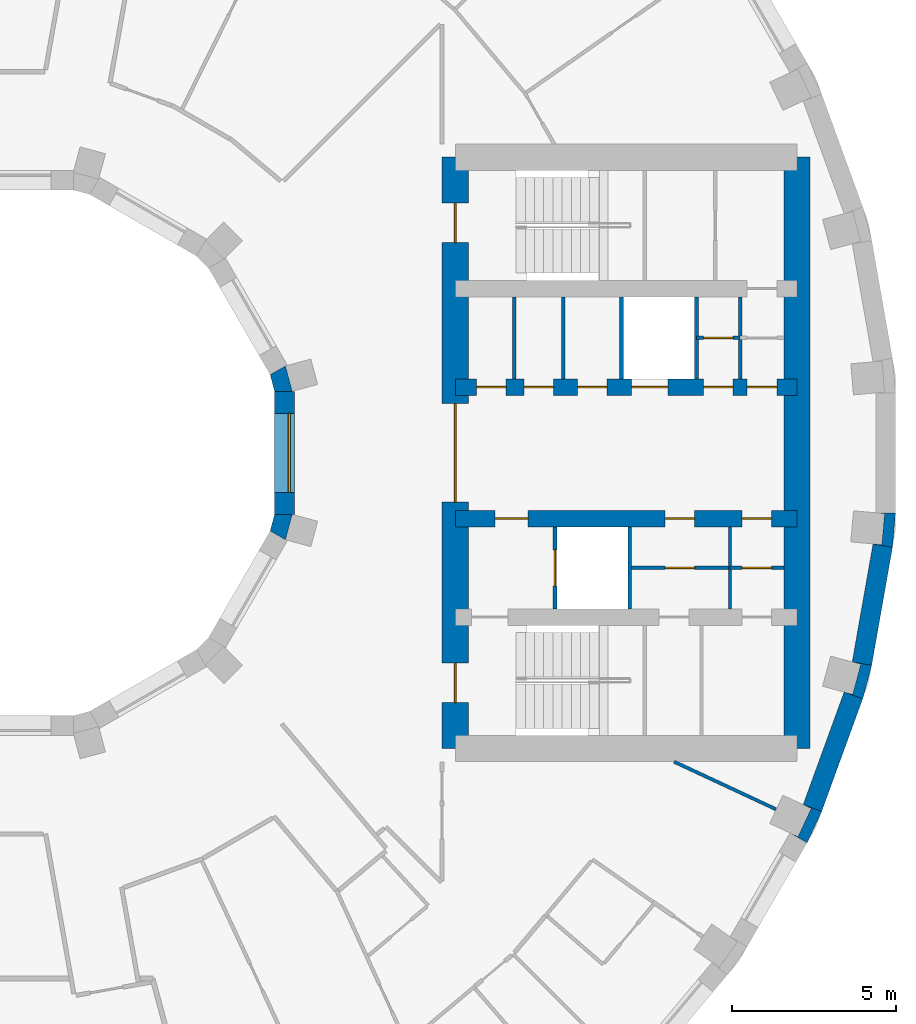
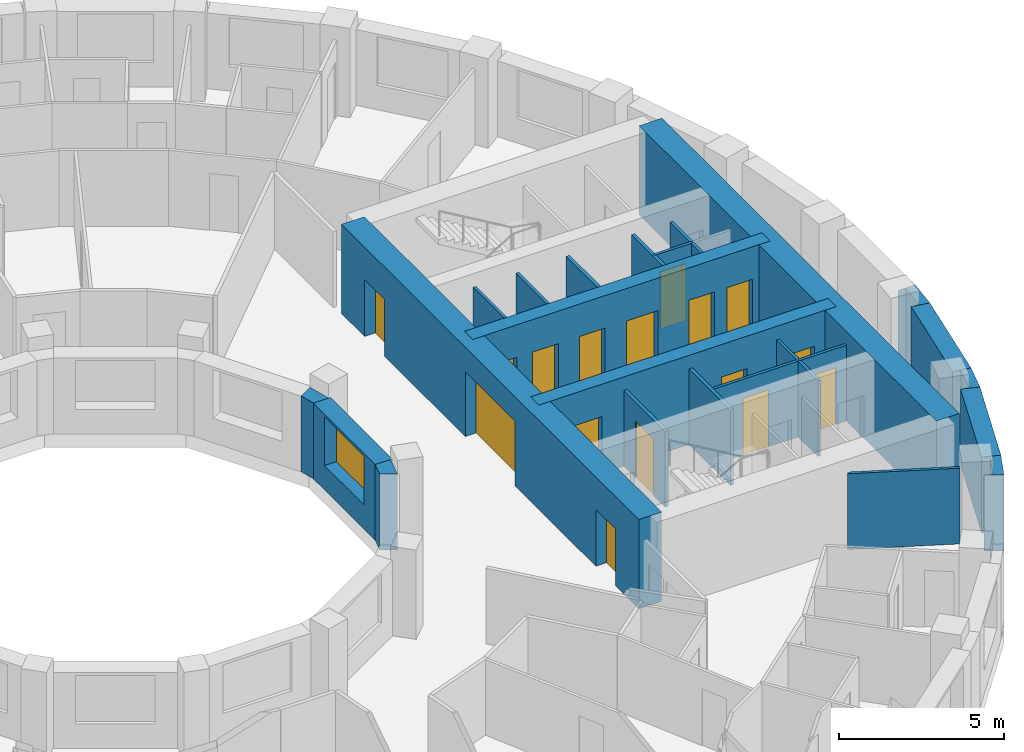
# One storey, part 10 of 16: 24 walls, 16 doors, 1 window, 17 openings.
"""IFC4 building model written with IfcOpenShell, lengths in metres."""

from ifc_helpers import new_model, si_unit, direction, frame, frame_2d, origin, place, context, subcontext, project, spatial, polyline, rectangle, outline, extrude, material, layer, layer_set, type_object, element, fill, save


model = new_model("IFC4")

# Units and contexts
model_context = context("Model", 3, precision=1e-05, world=origin(), true_north=direction((0.0, 1.0)))
body_context = subcontext(model_context, "Body", "Model", "MODEL_VIEW")
ifc_project = project(units=[si_unit("LENGTHUNIT", "METRE"), si_unit("AREAUNIT", "SQUARE_METRE"), si_unit("VOLUMEUNIT", "CUBIC_METRE"), si_unit("PLANEANGLEUNIT", "RADIAN"), si_unit("MASSUNIT", "GRAM", prefix="KILO")], contexts=[model_context])

# Site, building, storey
site_placement = place(None, origin())
site = spatial("IfcSite", under=ifc_project, at=site_placement, CompositionType="ELEMENT")
building_placement = place(site_placement, origin())
building = spatial("IfcBuilding", under=site, at=building_placement, Name="Saqina Gate Tower", CompositionType="ELEMENT")
storey_placement = place(building_placement, frame((0.0, 0.0, 144.699951171875)))
storey = spatial("IfcBuildingStorey", under=building, at=storey_placement, Name="L41", CompositionType="ELEMENT", Elevation=144.699951171875)

# Walls
ifc_material_1 = material(Name="Brick masonry (buff)", Category="masonry")
wall_type_1 = type_object("IfcWallType", Name="BRICK PIER COPING BUFF", PredefinedType="SOLIDWALL", material=ifc_material_1)
wall_1_placement = place(storey_placement, origin())
element("IfcWall", 1, at=wall_1_placement, inside=storey, type_object=wall_type_1, Name="Pier cap L41 column 34", PredefinedType="SOLIDWALL", context=body_context, shape_type="SweptSolid", body=[
    extrude(outline(polyline([(24.6513671875, -10.913330078125), (24.08740234375, -10.7080078125), (24.331298828125, -10.82177734375), (23.9296875, -11.6826171875), (23.68603515625, -11.569091796875), (24.205810546875, -11.869140625), (24.6513671875, -10.913330078125)])), origin(), (0.0, 0.0, 1.0), 2.800048828125),
])
wall_2_placement = place(storey_placement, origin())
element("IfcWall", 2, at=wall_2_placement, inside=storey, type_object=wall_type_1, Name="Pier cap L41 column 35", PredefinedType="SOLIDWALL", context=body_context, shape_type="SweptSolid", body=[
    extrude(outline(polyline([(25.89892578125, -7.485595703125), (26.171875, -6.466796875), (25.5810546875, -6.36279296875), (25.8408203125, -6.43212890625), (25.5947265625, -7.349853515625), (25.335205078125, -7.2802734375), (25.89892578125, -7.485595703125)])), origin(), (0.0, 0.0, 1.0), 2.800048828125),
])
wall_3_placement = place(storey_placement, origin())
element("IfcWall", 3, at=wall_3_placement, inside=storey, type_object=wall_type_1, Name="Pier cap L41 column 36", PredefinedType="SOLIDWALL", context=body_context, shape_type="SweptSolid", body=[
    extrude(outline(polyline([(26.805419921875, -2.87451171875), (26.897216796875, -1.823974609375), (26.29736328125, -1.823974609375), (26.565185546875, -1.847412109375), (26.482421875, -2.793701171875), (26.214599609375, -2.770263671875), (26.805419921875, -2.87451171875)])), origin(), (0.0, 0.0, 1.0), 2.800048828125),
])
ifc_material_2 = material(Name="Gypsum board on steel studs", Category="steel")
ifc_layer_1 = layer(ifc_material_2, 0.10009765625)
ifc_layer_set_1 = layer_set([ifc_layer_1], Name="CORE PARTITION")
wall_type_2 = type_object("IfcWallType", Name="CORE PARTITION", PredefinedType="PARTITIONING", material=ifc_layer_set_1)
for number, where, z_axis, x_axis, name in (
    (4, (15.298095703125, 2.25, 0.0), (0.0, 0.0, 1.0), (0.0, 1.0, 0.0), "L41-CP-E01"),
    (5, (16.789306640625, 2.25, 0.0), (0.0, 0.0, 1.0), (0.0, 1.0, 0.0), "L41-CP-E02"),
    (6, (22.169921875, 2.25, 0.0), (0.0, 0.0, 1.0), (0.0, 1.0, 0.0), "L41-CP-E05"),
    (7, (21.8583984375, -4.75, 0.0), (0.0, 0.0, 1.0), (0.0, 1.0, 0.0), "L41-CP-E08"),
):
    element("IfcWall", number, at=place(storey_placement, frame(where, z_axis=z_axis, x_axis=x_axis)), inside=storey, type_object=wall_type_2, Name=name, PredefinedType="PARTITIONING", context=body_context, shape_type="SweptSolid", body=[
        extrude(rectangle(XDim=2.5, YDim=0.10009765625, at=frame_2d((1.25, 0.0))), origin(), (0.0, 0.0, 1.0), 2.800048828125),
    ])

# Wall, opening, door
wall_4_placement = place(storey_placement, frame((20.840087890625, 3.5, 0.0), z_axis=(0.0, 0.0, 1.0), x_axis=(1.0, 0.0, 0.0)))
wall_4 = element("IfcWall", 8, at=wall_4_placement, inside=storey, type_object=wall_type_2, Name="L41-CP-E09", PredefinedType="PARTITIONING", context=body_context, shape_type="SweptSolid", body=[
    extrude(rectangle(XDim=1.329833984375, YDim=0.10009765625, at=frame_2d((0.6650390625, 0.0))), origin(), (0.0, 0.0, 1.0), 2.800048828125),
])
opening_1_placement = place(wall_4_placement, frame((0.215087890625, 0.0, 0.0)))
opening_1 = element("IfcOpeningElement", 9, at=opening_1_placement, cuts=wall_4, Name="Opening G12-D99", PredefinedType="OPENING", context=body_context, shape_type="SweptSolid", body=[
    extrude(rectangle(XDim=0.89990234375, YDim=2.10009765625, at=frame_2d((0.449951171875, 1.050048828125))), frame((0.0, 0.06201171875, 0.0), z_axis=(0.0, -1.0, 0.0), x_axis=(1.0, 0.0, 0.0)), (0.0, 0.0, 1.0), 0.1240234375),
])
ifc_material_3 = material(Name="Steel-framed fire door leaf, EI 60", Category="steel")
door_type_1 = type_object("IfcDoorType", Name="SERVICE ROOM DOOR 900", OperationType="SINGLE_SWING_LEFT", PredefinedType="DOOR", material=ifc_material_3)
door_1_placement = place(opening_1_placement, origin())
door_1 = element("IfcDoor", 10, at=door_1_placement, inside=storey, type_object=door_type_1, Name="L41-CD-E10", OperationType="SINGLE_SWING_LEFT", OverallHeight=2.10009765625, OverallWidth=0.89990234375, PredefinedType="DOOR", context=body_context, shape_type="SweptSolid", body=[
    extrude(rectangle(XDim=0.89990234375, YDim=2.10009765625, at=frame_2d((0.449951171875, 1.050048828125))), frame((0.0, 0.02490234375, 0.0), z_axis=(0.0, -1.0, 0.0), x_axis=(1.0, 0.0, 0.0)), (0.0, 0.0, 1.0), 0.050048828125),
])
fill(opening_1, door_1)

wall_5_placement = place(storey_placement, frame((18.81005859375, -3.5, 0.0), z_axis=(0.0, 0.0, 1.0), x_axis=(1.0, 0.0, 0.0)))
wall_5 = element("IfcWall", 11, at=wall_5_placement, inside=storey, type_object=wall_type_2, Name="L41-CP-E11", PredefinedType="PARTITIONING", context=body_context, shape_type="SweptSolid", body=[
    extrude(rectangle(XDim=3.04833984375, YDim=0.10009765625, at=frame_2d((1.524169921875, 0.0))), origin(), (0.0, 0.0, 1.0), 2.800048828125),
])
opening_2_placement = place(wall_5_placement, frame((1.07421875, 0.0, 0.0)))
opening_2 = element("IfcOpeningElement", 12, at=opening_2_placement, cuts=wall_5, Name="Opening G12-D103", PredefinedType="OPENING", context=body_context, shape_type="SweptSolid", body=[
    extrude(rectangle(XDim=0.89990234375, YDim=2.10009765625, at=frame_2d((0.449951171875, 1.050048828125))), frame((0.0, 0.06201171875, 0.0), z_axis=(0.0, -1.0, 0.0), x_axis=(1.0, 0.0, 0.0)), (0.0, 0.0, 1.0), 0.1240234375),
])
door_2_placement = place(opening_2_placement, frame((0.89990234375, 0.0, 0.0), z_axis=(0.0, 0.0, 1.0), x_axis=(-1.0, 0.0, 0.0)))
door_2 = element("IfcDoor", 13, at=door_2_placement, inside=storey, type_object=door_type_1, Name="L41-CD-E14", OperationType="SINGLE_SWING_RIGHT", OverallHeight=2.10009765625, OverallWidth=0.89990234375, PredefinedType="DOOR", context=body_context, shape_type="SweptSolid", body=[
    extrude(rectangle(XDim=0.89990234375, YDim=2.10009765625, at=frame_2d((0.449951171875, 1.050048828125))), frame((0.0, 0.02490234375, 0.0), z_axis=(0.0, -1.0, 0.0), x_axis=(1.0, 0.0, 0.0)), (0.0, 0.0, 1.0), 0.050048828125),
])
fill(opening_2, door_2)

wall_6_placement = place(storey_placement, frame((21.8583984375, -3.5, 0.0), z_axis=(0.0, 0.0, 1.0), x_axis=(1.0, 0.0, 0.0)))
wall_6 = element("IfcWall", 14, at=wall_6_placement, inside=storey, type_object=wall_type_2, Name="L41-CP-E12", PredefinedType="PARTITIONING", context=body_context, shape_type="SweptSolid", body=[
    extrude(rectangle(XDim=1.6416015625, YDim=0.10009765625, at=frame_2d((0.82080078125, 0.0))), origin(), (0.0, 0.0, 1.0), 2.800048828125),
])
opening_3_placement = place(wall_6_placement, frame((0.370849609375, 0.0, 0.0)))
opening_3 = element("IfcOpeningElement", 15, at=opening_3_placement, cuts=wall_6, Name="Opening G12-D102", PredefinedType="OPENING", context=body_context, shape_type="SweptSolid", body=[
    extrude(rectangle(XDim=0.89990234375, YDim=2.10009765625, at=frame_2d((0.449951171875, 1.050048828125))), frame((0.0, 0.06201171875, 0.0), z_axis=(0.0, -1.0, 0.0), x_axis=(1.0, 0.0, 0.0)), (0.0, 0.0, 1.0), 0.1240234375),
])
door_3_placement = place(opening_3_placement, frame((0.89990234375, 0.0, 0.0), z_axis=(0.0, 0.0, 1.0), x_axis=(-1.0, 0.0, 0.0)))
door_3 = element("IfcDoor", 16, at=door_3_placement, inside=storey, type_object=door_type_1, Name="L41-CD-E13", OperationType="SINGLE_SWING_LEFT", OverallHeight=2.10009765625, OverallWidth=0.89990234375, PredefinedType="DOOR", context=body_context, shape_type="SweptSolid", body=[
    extrude(rectangle(XDim=0.89990234375, YDim=2.10009765625, at=frame_2d((0.449951171875, 1.050048828125))), frame((0.0, 0.02490234375, 0.0), z_axis=(0.0, -1.0, 0.0), x_axis=(1.0, 0.0, 0.0)), (0.0, 0.0, 1.0), 0.050048828125),
])
fill(opening_3, door_3)

# Walls
ifc_material_4 = material(Name="Glazed ceramic tile", Category="ceramic")
ifc_layer_2 = layer(ifc_material_4, 0.60009765625)
ifc_layer_set_2 = layer_set([ifc_layer_2], Name="FW-TILE")
wall_type_3 = type_object("IfcWallType", Name="FW-TILE", PredefinedType="SOLIDWALL", material=ifc_layer_set_2)
wall_7_placement = place(storey_placement, frame((24.369384765625, -10.810791015625, 0.0), z_axis=(0.0, 0.0, 1.0), x_axis=(0.341990236633, 0.939703505393, 0.0)))
element("IfcWall", 17, at=wall_7_placement, inside=storey, type_object=wall_type_3, Name="Facade wall L41 facet 34", PredefinedType="SOLIDWALL", context=body_context, shape_type="SweptSolid", body=[
    extrude(rectangle(XDim=3.64794921875, YDim=0.60009765625, at=frame_2d((1.823974609375, 0.0))), origin(), (0.0, 0.0, 1.0), 2.800048828125),
])
ifc_material_5 = material(Name="Glazed ceramic tile (white)", Category="ceramic")
ifc_layer_3 = layer(ifc_material_5, 0.60009765625)
ifc_layer_set_3 = layer_set([ifc_layer_3], Name="FW-TILE-WH")
wall_type_4 = type_object("IfcWallType", Name="FW-TILE-WH", PredefinedType="SOLIDWALL", material=ifc_layer_set_3)
wall_8_placement = place(storey_placement, frame((25.87646484375, -6.414794921875, 0.0), z_axis=(0.0, 0.0, 1.0), x_axis=(0.173670796382, 0.984803764455, 0.0)))
element("IfcWall", 18, at=wall_8_placement, inside=storey, type_object=wall_type_4, Name="Facade wall L41 facet 35", PredefinedType="SOLIDWALL", context=body_context, shape_type="SweptSolid", body=[
    extrude(rectangle(XDim=3.64794921875, YDim=0.60009765625, at=frame_2d((1.823974609375, 0.0))), origin(), (0.0, 0.0, 1.0), 2.800048828125),
])

# Wall, opening, window
ifc_material_6 = material(Name="Glazed ceramic tile", Category="ceramic")
ifc_layer_4 = layer(ifc_material_6, 0.60009765625)
ifc_layer_set_4 = layer_set([ifc_layer_4], Name="IW-TILE")
wall_type_5 = type_object("IfcWallType", Name="IW-TILE", PredefinedType="SOLIDWALL", material=ifc_layer_set_4)
wall_9_placement = place(storey_placement, frame((8.300048828125, -1.873779296875, 0.0), z_axis=(0.0, 0.0, 1.0), x_axis=(0.0, 1.0, 0.0)))
wall_9 = element("IfcWall", 19, at=wall_9_placement, inside=storey, type_object=wall_type_5, Name="Well wall L41 facet 12", PredefinedType="SOLIDWALL", context=body_context, shape_type="SweptSolid", body=[
    extrude(rectangle(XDim=3.74755859375, YDim=0.60009765625, at=frame_2d((1.873779296875, 0.0))), origin(), (0.0, 0.0, 1.0), 2.800048828125),
])
opening_4_placement = place(wall_9_placement, frame((0.673583984375, 0.0, 0.89990234375)))
opening_4 = element("IfcOpeningElement", 20, at=opening_4_placement, cuts=wall_9, Name="Opening G12-W34", PredefinedType="OPENING", context=body_context, shape_type="SweptSolid", body=[
    extrude(rectangle(XDim=2.39990234375, YDim=1.800048828125, at=frame_2d((1.199951171875, 0.89990234375))), frame((0.0, 0.31201171875, 0.0), z_axis=(0.0, -1.0, 0.0), x_axis=(1.0, 0.0, 0.0)), (0.0, 0.0, 1.0), 0.6240234375),
])
ifc_material_7 = material(Name="Aluminium glazing", Category="aluminium")
window_type = type_object("IfcWindowType", Name="WN-W", PartitioningType="SINGLE_PANEL", PredefinedType="WINDOW", material=ifc_material_7)
window_placement = place(opening_4_placement, origin())
window = element("IfcWindow", 21, at=window_placement, inside=storey, type_object=window_type, Name="Well window L41 facet 12", OverallHeight=1.800048828125, OverallWidth=2.39990234375, PartitioningType="SINGLE_PANEL", PredefinedType="WINDOW", context=body_context, shape_type="SweptSolid", body=[
    extrude(rectangle(XDim=2.39990234375, YDim=1.800048828125, at=frame_2d((1.199951171875, 0.89990234375))), frame((0.0, -0.119873046875, 0.0), z_axis=(0.0, -1.0, 0.0), x_axis=(1.0, 0.0, 0.0)), (0.0, 0.0, 1.0), 0.06005859375),
])
fill(opening_4, window)

# Walls
ifc_material_8 = material(Name="Gypsum board on steel studs, 100 mm", Category="steel")
ifc_layer_5 = layer(ifc_material_8, 0.10009765625)
ifc_layer_set_5 = layer_set([ifc_layer_5], Name="PARTITION 100")
wall_type_6 = type_object("IfcWallType", Name="PARTITION 100", PredefinedType="PARTITIONING", material=ifc_layer_set_5)
wall_10_placement = place(storey_placement, frame((20.159912109375, -9.39990234375, 0.0), z_axis=(0.0, 0.0, 1.0), x_axis=(0.906121146584, -0.423018282954, 0.0)))
element("IfcWall", 22, at=wall_10_placement, inside=storey, type_object=wall_type_6, Name="PARTITION PW3-46", PredefinedType="PARTITIONING", context=body_context, shape_type="SweptSolid", body=[
    extrude(rectangle(XDim=3.42138671875, YDim=0.10009765625, at=frame_2d((1.710693359375, 0.0))), origin(), (0.0, 0.0, 1.0), 2.800048828125),
])
ifc_material_9 = material(Name="Autoclaved aerated concrete block", Category="concrete")
ifc_layer_6 = layer(ifc_material_9, 0.1201171875)
ifc_layer_set_6 = layer_set([ifc_layer_6], Name="SHAFT PARTITION")
wall_type_7 = type_object("IfcWallType", Name="SHAFT PARTITION", PredefinedType="PARTITIONING", material=ifc_layer_set_6)
for number, where, z_axis, x_axis, name in (
    (23, (18.56005859375, 2.25, 0.0), (0.0, 0.0, 1.0), (0.0, 1.0, 0.0), "L41-CP-E03"),
    (24, (20.840087890625, 2.25, 0.0), (0.0, 0.0, 1.0), (0.0, 1.0, 0.0), "L41-CP-E04"),
):
    element("IfcWall", number, at=place(storey_placement, frame(where, z_axis=z_axis, x_axis=x_axis)), inside=storey, type_object=wall_type_7, Name=name, PredefinedType="PARTITIONING", context=body_context, shape_type="SweptSolid", body=[
        extrude(rectangle(XDim=2.5, YDim=0.1201171875, at=frame_2d((1.25, 0.0))), origin(), (0.0, 0.0, 1.0), 2.800048828125),
    ])

# Wall, opening, door
wall_11_placement = place(storey_placement, frame((16.530029296875, -4.75, 0.0), z_axis=(0.0, 0.0, 1.0), x_axis=(0.0, 1.0, 0.0)))
wall_11 = element("IfcWall", 25, at=wall_11_placement, inside=storey, type_object=wall_type_7, Name="L41-CP-E06", PredefinedType="PARTITIONING", context=body_context, shape_type="SweptSolid", body=[
    extrude(rectangle(XDim=2.5, YDim=0.1201171875, at=frame_2d((1.25, 0.0))), origin(), (0.0, 0.0, 1.0), 2.800048828125),
])
opening_5_placement = place(wall_11_placement, frame((0.699951171875, 0.0, 0.0)))
opening_5 = element("IfcOpeningElement", 26, at=opening_5_placement, cuts=wall_11, Name="Opening G12-LD2", PredefinedType="OPENING", context=body_context, shape_type="SweptSolid", body=[
    extrude(rectangle(XDim=1.10009765625, YDim=2.10009765625, at=frame_2d((0.550048828125, 1.050048828125))), frame((0.0, 0.072021484375, 0.0), z_axis=(0.0, -1.0, 0.0), x_axis=(1.0, 0.0, 0.0)), (0.0, 0.0, 1.0), 0.14404296875),
])
ifc_material_10 = material(Name="Stainless steel", Category="steel")
door_type_2 = type_object("IfcDoorType", Name="LANDING DOOR", OperationType="DOUBLE_DOOR_SLIDING", PredefinedType="DOOR", material=ifc_material_10)
door_4_placement = place(opening_5_placement, origin())
door_4 = element("IfcDoor", 27, at=door_4_placement, inside=storey, type_object=door_type_2, Name="LANDING DOOR FF1", OperationType="DOUBLE_DOOR_SLIDING", OverallHeight=2.10009765625, OverallWidth=1.10009765625, PredefinedType="DOOR", context=body_context, shape_type="SweptSolid", body=[
    extrude(rectangle(XDim=1.10009765625, YDim=2.10009765625, at=frame_2d((0.550048828125, 1.050048828125))), frame((0.0, 0.02490234375, 0.0), z_axis=(0.0, -1.0, 0.0), x_axis=(1.0, 0.0, 0.0)), (0.0, 0.0, 1.0), 0.050048828125),
])
fill(opening_5, door_4)

# Wall
wall_12_placement = place(storey_placement, frame((18.81005859375, -4.75, 0.0), z_axis=(0.0, 0.0, 1.0), x_axis=(0.0, 1.0, 0.0)))
element("IfcWall", 28, at=wall_12_placement, inside=storey, type_object=wall_type_7, Name="L41-CP-E07", PredefinedType="PARTITIONING", context=body_context, shape_type="SweptSolid", body=[
    extrude(rectangle(XDim=2.5, YDim=0.1201171875, at=frame_2d((1.25, 0.0))), origin(), (0.0, 0.0, 1.0), 2.800048828125),
])

# Wall, openings, doors
ifc_material_11 = material(Name="Concrete C70/85", Category="concrete")
ifc_layer_7 = layer(ifc_material_11, 0.5)
ifc_layer_set_7 = layer_set([ifc_layer_7], Name="Concrete C70/85")
wall_type_8 = type_object("IfcWallType", Name="STR-CORE WALL-B-I", PredefinedType="SHEAR", material=ifc_layer_set_7)
wall_13_placement = place(storey_placement, frame((13.5, 2.0, 0.0), z_axis=(0.0, 0.0, 1.0), x_axis=(1.0, 0.0, 0.0)))
wall_13 = element("IfcWall", 29, at=wall_13_placement, inside=storey, type_object=wall_type_8, Name="CORE WALL L41 E-L1", PredefinedType="SHEAR", context=body_context, shape_type="SweptSolid", body=[
    extrude(rectangle(XDim=10.39990234375, YDim=0.5, at=frame_2d((5.199951171875, 0.0))), origin(), (0.0, 0.0, 1.0), 3.300048828125),
])
opening_6_placement = place(wall_13_placement, frame((5.3701171875, 0.0, 0.0)))
opening_6 = element("IfcOpeningElement", 30, at=opening_6_placement, cuts=wall_13, Name="Opening G12-LD1", PredefinedType="OPENING", context=body_context, shape_type="SweptSolid", body=[
    extrude(rectangle(XDim=1.10009765625, YDim=2.10009765625, at=frame_2d((0.550048828125, 1.050048828125))), frame((0.0, 0.261962890625, 0.0), z_axis=(0.0, -1.0, 0.0), x_axis=(1.0, 0.0, 0.0)), (0.0, 0.0, 1.0), 0.52392578125),
])
opening_7_placement = place(wall_13_placement, frame((0.64892578125, 0.0, 0.0)))
opening_7 = element("IfcOpeningElement", 31, at=opening_7_placement, cuts=wall_13, Name="Opening G12-D90", PredefinedType="OPENING", context=body_context, shape_type="SweptSolid", body=[
    extrude(rectangle(XDim=0.89990234375, YDim=2.10009765625, at=frame_2d((0.449951171875, 1.050048828125))), frame((0.0, 0.261962890625, 0.0), z_axis=(0.0, -1.0, 0.0), x_axis=(1.0, 0.0, 0.0)), (0.0, 0.0, 1.0), 0.52392578125),
])
opening_8_placement = place(wall_13_placement, frame((2.093505859375, 0.0, 0.0)))
opening_8 = element("IfcOpeningElement", 32, at=opening_8_placement, cuts=wall_13, Name="Opening G12-D91", PredefinedType="OPENING", context=body_context, shape_type="SweptSolid", body=[
    extrude(rectangle(XDim=0.89990234375, YDim=2.10009765625, at=frame_2d((0.449951171875, 1.050048828125))), frame((0.0, 0.261962890625, 0.0), z_axis=(0.0, -1.0, 0.0), x_axis=(1.0, 0.0, 0.0)), (0.0, 0.0, 1.0), 0.52392578125),
])
opening_9_placement = place(wall_13_placement, frame((3.724609375, 0.0, 0.0)))
opening_9 = element("IfcOpeningElement", 33, at=opening_9_placement, cuts=wall_13, Name="Opening G12-D92", PredefinedType="OPENING", context=body_context, shape_type="SweptSolid", body=[
    extrude(rectangle(XDim=0.89990234375, YDim=2.10009765625, at=frame_2d((0.449951171875, 1.050048828125))), frame((0.0, 0.261962890625, 0.0), z_axis=(0.0, -1.0, 0.0), x_axis=(1.0, 0.0, 0.0)), (0.0, 0.0, 1.0), 0.52392578125),
])
opening_10_placement = place(wall_13_placement, frame((7.554931640625, 0.0, 0.0)))
opening_10 = element("IfcOpeningElement", 34, at=opening_10_placement, cuts=wall_13, Name="Opening G12-D93", PredefinedType="OPENING", context=body_context, shape_type="SweptSolid", body=[
    extrude(rectangle(XDim=0.89990234375, YDim=2.10009765625, at=frame_2d((0.449951171875, 1.050048828125))), frame((0.0, 0.261962890625, 0.0), z_axis=(0.0, -1.0, 0.0), x_axis=(1.0, 0.0, 0.0)), (0.0, 0.0, 1.0), 0.52392578125),
])
opening_11_placement = place(wall_13_placement, frame((8.885009765625, 0.0, 0.0)))
opening_11 = element("IfcOpeningElement", 35, at=opening_11_placement, cuts=wall_13, Name="Opening G12-D94", PredefinedType="OPENING", context=body_context, shape_type="SweptSolid", body=[
    extrude(rectangle(XDim=0.89990234375, YDim=2.10009765625, at=frame_2d((0.449951171875, 1.050048828125))), frame((0.0, 0.261962890625, 0.0), z_axis=(0.0, -1.0, 0.0), x_axis=(1.0, 0.0, 0.0)), (0.0, 0.0, 1.0), 0.52392578125),
])
door_5_placement = place(opening_6_placement, origin())
door_5 = element("IfcDoor", 36, at=door_5_placement, inside=storey, type_object=door_type_2, Name="LANDING DOOR MR1", OperationType="DOUBLE_DOOR_SLIDING", OverallHeight=2.10009765625, OverallWidth=1.10009765625, PredefinedType="DOOR", context=body_context, shape_type="SweptSolid", body=[
    extrude(rectangle(XDim=1.10009765625, YDim=2.10009765625, at=frame_2d((0.550048828125, 1.050048828125))), frame((0.0, 0.02490234375, 0.0), z_axis=(0.0, -1.0, 0.0), x_axis=(1.0, 0.0, 0.0)), (0.0, 0.0, 1.0), 0.050048828125),
])
fill(opening_6, door_5)
door_6_placement = place(opening_7_placement, origin())
door_6 = element("IfcDoor", 37, at=door_6_placement, inside=storey, type_object=door_type_1, Name="L41-CD-E01", OperationType="SINGLE_SWING_LEFT", OverallHeight=2.10009765625, OverallWidth=0.89990234375, PredefinedType="DOOR", context=body_context, shape_type="SweptSolid", body=[
    extrude(rectangle(XDim=0.89990234375, YDim=2.10009765625, at=frame_2d((0.449951171875, 1.050048828125))), frame((0.0, 0.02490234375, 0.0), z_axis=(0.0, -1.0, 0.0), x_axis=(1.0, 0.0, 0.0)), (0.0, 0.0, 1.0), 0.050048828125),
])
fill(opening_7, door_6)
door_7_placement = place(opening_8_placement, origin())
door_7 = element("IfcDoor", 38, at=door_7_placement, inside=storey, type_object=door_type_1, Name="L41-CD-E02", OperationType="SINGLE_SWING_LEFT", OverallHeight=2.10009765625, OverallWidth=0.89990234375, PredefinedType="DOOR", context=body_context, shape_type="SweptSolid", body=[
    extrude(rectangle(XDim=0.89990234375, YDim=2.10009765625, at=frame_2d((0.449951171875, 1.050048828125))), frame((0.0, 0.02490234375, 0.0), z_axis=(0.0, -1.0, 0.0), x_axis=(1.0, 0.0, 0.0)), (0.0, 0.0, 1.0), 0.050048828125),
])
fill(opening_8, door_7)
door_8_placement = place(opening_9_placement, origin())
door_8 = element("IfcDoor", 39, at=door_8_placement, inside=storey, type_object=door_type_1, Name="L41-CD-E03", OperationType="SINGLE_SWING_RIGHT", OverallHeight=2.10009765625, OverallWidth=0.89990234375, PredefinedType="DOOR", context=body_context, shape_type="SweptSolid", body=[
    extrude(rectangle(XDim=0.89990234375, YDim=2.10009765625, at=frame_2d((0.449951171875, 1.050048828125))), frame((0.0, 0.02490234375, 0.0), z_axis=(0.0, -1.0, 0.0), x_axis=(1.0, 0.0, 0.0)), (0.0, 0.0, 1.0), 0.050048828125),
])
fill(opening_9, door_8)
door_9_placement = place(opening_10_placement, origin())
door_9 = element("IfcDoor", 40, at=door_9_placement, inside=storey, type_object=door_type_1, Name="L41-CD-E04", OperationType="SINGLE_SWING_LEFT", OverallHeight=2.10009765625, OverallWidth=0.89990234375, PredefinedType="DOOR", context=body_context, shape_type="SweptSolid", body=[
    extrude(rectangle(XDim=0.89990234375, YDim=2.10009765625, at=frame_2d((0.449951171875, 1.050048828125))), frame((0.0, 0.02490234375, 0.0), z_axis=(0.0, -1.0, 0.0), x_axis=(1.0, 0.0, 0.0)), (0.0, 0.0, 1.0), 0.050048828125),
])
fill(opening_10, door_9)
door_10_placement = place(opening_11_placement, origin())
door_10 = element("IfcDoor", 41, at=door_10_placement, inside=storey, type_object=door_type_1, Name="L41-CD-E05", OperationType="SINGLE_SWING_RIGHT", OverallHeight=2.10009765625, OverallWidth=0.89990234375, PredefinedType="DOOR", context=body_context, shape_type="SweptSolid", body=[
    extrude(rectangle(XDim=0.89990234375, YDim=2.10009765625, at=frame_2d((0.449951171875, 1.050048828125))), frame((0.0, 0.02490234375, 0.0), z_axis=(0.0, -1.0, 0.0), x_axis=(1.0, 0.0, 0.0)), (0.0, 0.0, 1.0), 0.050048828125),
])
fill(opening_11, door_10)

wall_14_placement = place(storey_placement, frame((13.5, -2.0, 0.0), z_axis=(0.0, 0.0, 1.0), x_axis=(1.0, 0.0, 0.0)))
wall_14 = element("IfcWall", 42, at=wall_14_placement, inside=storey, type_object=wall_type_8, Name="CORE WALL L41 E-L2", PredefinedType="SHEAR", context=body_context, shape_type="SweptSolid", body=[
    extrude(rectangle(XDim=10.39990234375, YDim=0.5, at=frame_2d((5.199951171875, 0.0))), origin(), (0.0, 0.0, 1.0), 3.300048828125),
])
opening_12_placement = place(wall_14_placement, frame((1.215087890625, 0.0, 0.0)))
opening_12 = element("IfcOpeningElement", 43, at=opening_12_placement, cuts=wall_14, Name="Opening G12-D95", PredefinedType="OPENING", context=body_context, shape_type="SweptSolid", body=[
    extrude(rectangle(XDim=1.0, YDim=2.10009765625, at=frame_2d((0.5, 1.050048828125))), frame((0.0, 0.261962890625, 0.0), z_axis=(0.0, -1.0, 0.0), x_axis=(1.0, 0.0, 0.0)), (0.0, 0.0, 1.0), 0.52392578125),
])
opening_13_placement = place(wall_14_placement, frame((6.38427734375, 0.0, 0.0)))
opening_13 = element("IfcOpeningElement", 44, at=opening_13_placement, cuts=wall_14, Name="Opening G12-D96", PredefinedType="OPENING", context=body_context, shape_type="SweptSolid", body=[
    extrude(rectangle(XDim=0.89990234375, YDim=2.10009765625, at=frame_2d((0.449951171875, 1.050048828125))), frame((0.0, 0.261962890625, 0.0), z_axis=(0.0, -1.0, 0.0), x_axis=(1.0, 0.0, 0.0)), (0.0, 0.0, 1.0), 0.52392578125),
])
opening_14_placement = place(wall_14_placement, frame((8.729248046875, 0.0, 0.0)))
opening_14 = element("IfcOpeningElement", 45, at=opening_14_placement, cuts=wall_14, Name="Opening G12-D97", PredefinedType="OPENING", context=body_context, shape_type="SweptSolid", body=[
    extrude(rectangle(XDim=0.89990234375, YDim=2.10009765625, at=frame_2d((0.449951171875, 1.050048828125))), frame((0.0, 0.261962890625, 0.0), z_axis=(0.0, -1.0, 0.0), x_axis=(1.0, 0.0, 0.0)), (0.0, 0.0, 1.0), 0.52392578125),
])
ifc_material_12 = material(Name="Steel", Category="steel")
door_type_3 = type_object("IfcDoorType", Name="FIRE LOBBY DOOR EI 60", OperationType="SINGLE_SWING_LEFT", PredefinedType="DOOR", material=ifc_material_12)
door_11_placement = place(opening_12_placement, origin())
door_11 = element("IfcDoor", 46, at=door_11_placement, inside=storey, type_object=door_type_3, Name="L41-CD-E06", OperationType="SINGLE_SWING_LEFT", OverallHeight=2.10009765625, OverallWidth=1.0, PredefinedType="DOOR", context=body_context, shape_type="SweptSolid", body=[
    extrude(rectangle(XDim=1.0, YDim=2.10009765625, at=frame_2d((0.5, 1.050048828125))), frame((0.0, 0.02490234375, 0.0), z_axis=(0.0, -1.0, 0.0), x_axis=(1.0, 0.0, 0.0)), (0.0, 0.0, 1.0), 0.050048828125),
])
fill(opening_12, door_11)
door_12_placement = place(opening_13_placement, frame((0.89990234375, 0.0, 0.0), z_axis=(0.0, 0.0, 1.0), x_axis=(-1.0, 0.0, 0.0)))
door_12 = element("IfcDoor", 47, at=door_12_placement, inside=storey, type_object=door_type_1, Name="L41-CD-E07", OperationType="SINGLE_SWING_LEFT", OverallHeight=2.10009765625, OverallWidth=0.89990234375, PredefinedType="DOOR", context=body_context, shape_type="SweptSolid", body=[
    extrude(rectangle(XDim=0.89990234375, YDim=2.10009765625, at=frame_2d((0.449951171875, 1.050048828125))), frame((0.0, 0.02490234375, 0.0), z_axis=(0.0, -1.0, 0.0), x_axis=(1.0, 0.0, 0.0)), (0.0, 0.0, 1.0), 0.050048828125),
])
fill(opening_13, door_12)
door_13_placement = place(opening_14_placement, frame((0.89990234375, 0.0, 0.0), z_axis=(0.0, 0.0, 1.0), x_axis=(-1.0, 0.0, 0.0)))
door_13 = element("IfcDoor", 48, at=door_13_placement, inside=storey, type_object=door_type_1, Name="L41-CD-E08", OperationType="SINGLE_SWING_LEFT", OverallHeight=2.10009765625, OverallWidth=0.89990234375, PredefinedType="DOOR", context=body_context, shape_type="SweptSolid", body=[
    extrude(rectangle(XDim=0.89990234375, YDim=2.10009765625, at=frame_2d((0.449951171875, 1.050048828125))), frame((0.0, 0.02490234375, 0.0), z_axis=(0.0, -1.0, 0.0), x_axis=(1.0, 0.0, 0.0)), (0.0, 0.0, 1.0), 0.050048828125),
])
fill(opening_14, door_13)

ifc_material_13 = material(Name="Concrete C70/85", Category="concrete")
ifc_layer_8 = layer(ifc_material_13, 0.800048828125)
ifc_layer_set_8 = layer_set([ifc_layer_8], Name="Concrete C70/85")
wall_type_9 = type_object("IfcWallType", Name="STR-CORE WALL-B-O", PredefinedType="SHEAR", material=ifc_layer_set_8)
wall_15_placement = place(storey_placement, frame((13.5, -9.0, 0.0), z_axis=(0.0, 0.0, 1.0), x_axis=(0.0, 1.0, 0.0)))
wall_15 = element("IfcWall", 49, at=wall_15_placement, inside=storey, type_object=wall_type_9, Name="CORE WALL L41 E-W1", PredefinedType="SHEAR", context=body_context, shape_type="SweptSolid", body=[
    extrude(rectangle(XDim=18.0, YDim=0.800048828125, at=frame_2d((9.0, 0.0))), origin(), (0.0, 0.0, 1.0), 3.300048828125),
])
opening_15_placement = place(wall_15_placement, frame((15.39990234375, 0.0, 0.0)))
opening_15 = element("IfcOpeningElement", 50, at=opening_15_placement, cuts=wall_15, Name="Opening G12-D107", PredefinedType="OPENING", context=body_context, shape_type="SweptSolid", body=[
    extrude(rectangle(XDim=1.199951171875, YDim=2.10009765625, at=frame_2d((0.60009765625, 1.050048828125))), frame((0.0, 0.412109375, 0.0), z_axis=(0.0, -1.0, 0.0), x_axis=(1.0, 0.0, 0.0)), (0.0, 0.0, 1.0), 0.823974609375),
])
opening_16_placement = place(wall_15_placement, frame((1.39990234375, 0.0, 0.0)))
opening_16 = element("IfcOpeningElement", 51, at=opening_16_placement, cuts=wall_15, Name="Opening G12-D108", PredefinedType="OPENING", context=body_context, shape_type="SweptSolid", body=[
    extrude(rectangle(XDim=1.199951171875, YDim=2.10009765625, at=frame_2d((0.60009765625, 1.050048828125))), frame((0.0, 0.412109375, 0.0), z_axis=(0.0, -1.0, 0.0), x_axis=(1.0, 0.0, 0.0)), (0.0, 0.0, 1.0), 0.823974609375),
])
opening_17_placement = place(wall_15_placement, frame((7.5, 0.0, 0.0)))
opening_17 = element("IfcOpeningElement", 52, at=opening_17_placement, cuts=wall_15, Name="Opening G12-D109", PredefinedType="OPENING", context=body_context, shape_type="SweptSolid", body=[
    extrude(rectangle(XDim=3.0, YDim=2.39990234375, at=frame_2d((1.5, 1.199951171875))), frame((0.0, 0.412109375, 0.0), z_axis=(0.0, -1.0, 0.0), x_axis=(1.0, 0.0, 0.0)), (0.0, 0.0, 1.0), 0.823974609375),
])
ifc_material_14 = material(Name="Steel", Category="steel")
door_type_4 = type_object("IfcDoorType", Name="FIRE DOOR EI 60", OperationType="SINGLE_SWING_LEFT", PredefinedType="DOOR", material=ifc_material_14)
door_14_placement = place(opening_15_placement, frame((1.199951171875, 0.0, 0.0), z_axis=(0.0, 0.0, 1.0), x_axis=(-1.0, 0.0, 0.0)))
door_14 = element("IfcDoor", 53, at=door_14_placement, inside=storey, type_object=door_type_4, Name="L41-CD-E18", OperationType="SINGLE_SWING_LEFT", OverallHeight=2.10009765625, OverallWidth=1.199951171875, PredefinedType="DOOR", context=body_context, shape_type="SweptSolid", body=[
    extrude(rectangle(XDim=1.199951171875, YDim=2.10009765625, at=frame_2d((0.60009765625, 1.050048828125))), frame((0.0, 0.02490234375, 0.0), z_axis=(0.0, -1.0, 0.0), x_axis=(1.0, 0.0, 0.0)), (0.0, 0.0, 1.0), 0.050048828125),
])
fill(opening_15, door_14)
door_15_placement = place(opening_16_placement, frame((1.199951171875, 0.0, 0.0), z_axis=(0.0, 0.0, 1.0), x_axis=(-1.0, 0.0, 0.0)))
door_15 = element("IfcDoor", 54, at=door_15_placement, inside=storey, type_object=door_type_4, Name="L41-CD-E19", OperationType="SINGLE_SWING_RIGHT", OverallHeight=2.10009765625, OverallWidth=1.199951171875, PredefinedType="DOOR", context=body_context, shape_type="SweptSolid", body=[
    extrude(rectangle(XDim=1.199951171875, YDim=2.10009765625, at=frame_2d((0.60009765625, 1.050048828125))), frame((0.0, 0.02490234375, 0.0), z_axis=(0.0, -1.0, 0.0), x_axis=(1.0, 0.0, 0.0)), (0.0, 0.0, 1.0), 0.050048828125),
])
fill(opening_16, door_15)
ifc_material_15 = material(Name="Steel and fire-resisting glass", Category="steel")
door_type_5 = type_object("IfcDoorType", Name="LOBBY SCREEN DOOR", OperationType="DOUBLE_DOOR_SLIDING", PredefinedType="DOOR", material=ifc_material_15)
door_16_placement = place(opening_17_placement, origin())
door_16 = element("IfcDoor", 55, at=door_16_placement, inside=storey, type_object=door_type_5, Name="L41-CD-E20", OperationType="DOUBLE_DOOR_SLIDING", OverallHeight=2.39990234375, OverallWidth=3.0, PredefinedType="DOOR", context=body_context, shape_type="SweptSolid", body=[
    extrude(rectangle(XDim=3.0, YDim=2.39990234375, at=frame_2d((1.5, 1.199951171875))), frame((0.0, 0.02490234375, 0.0), z_axis=(0.0, -1.0, 0.0), x_axis=(1.0, 0.0, 0.0)), (0.0, 0.0, 1.0), 0.050048828125),
])
fill(opening_17, door_16)

# Walls
wall_16_placement = place(storey_placement, frame((23.89990234375, -9.0, 0.0), z_axis=(0.0, 0.0, 1.0), x_axis=(0.0, 1.0, 0.0)))
element("IfcWall", 56, at=wall_16_placement, inside=storey, type_object=wall_type_9, Name="CORE WALL L41 E-W2", PredefinedType="SHEAR", context=body_context, shape_type="SweptSolid", body=[
    extrude(rectangle(XDim=18.0, YDim=0.800048828125, at=frame_2d((9.0, 0.0))), origin(), (0.0, 0.0, 1.0), 3.300048828125),
])
ifc_material_16 = material(Name="Glazed ceramic tile", Category="ceramic")
wall_type_10 = type_object("IfcWallType", Name="TILE PIER COPING", PredefinedType="SOLIDWALL", material=ifc_material_16)
wall_17_placement = place(storey_placement, origin())
element("IfcWall", 57, at=wall_17_placement, inside=storey, type_object=wall_type_10, Name="Well pier cap L41 column 1", PredefinedType="SOLIDWALL", context=body_context, shape_type="SweptSolid", body=[
    extrude(outline(polyline([(8.3310546875, 2.646484375), (7.864990234375, 2.377197265625), (8.0, 1.873779296875), (8.5380859375, 1.873779296875), (8.3310546875, 2.646484375)])), origin(), (0.0, 0.0, 1.0), 2.800048828125),
])
wall_18_placement = place(storey_placement, origin())
element("IfcWall", 58, at=wall_18_placement, inside=storey, type_object=wall_type_10, Name="Well pier cap L41 column 12", PredefinedType="SOLIDWALL", context=body_context, shape_type="SweptSolid", body=[
    extrude(outline(polyline([(8.5380859375, -1.873779296875), (8.0, -1.873779296875), (7.864990234375, -2.377197265625), (8.3310546875, -2.646484375), (8.5380859375, -1.873779296875)])), origin(), (0.0, 0.0, 1.0), 2.800048828125),
])

save(model, "model.ifc")
